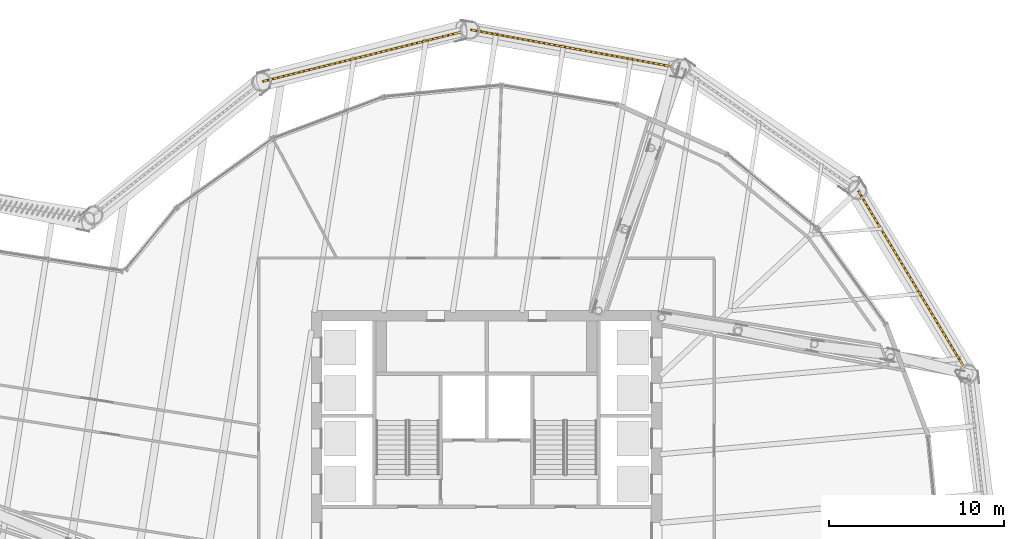
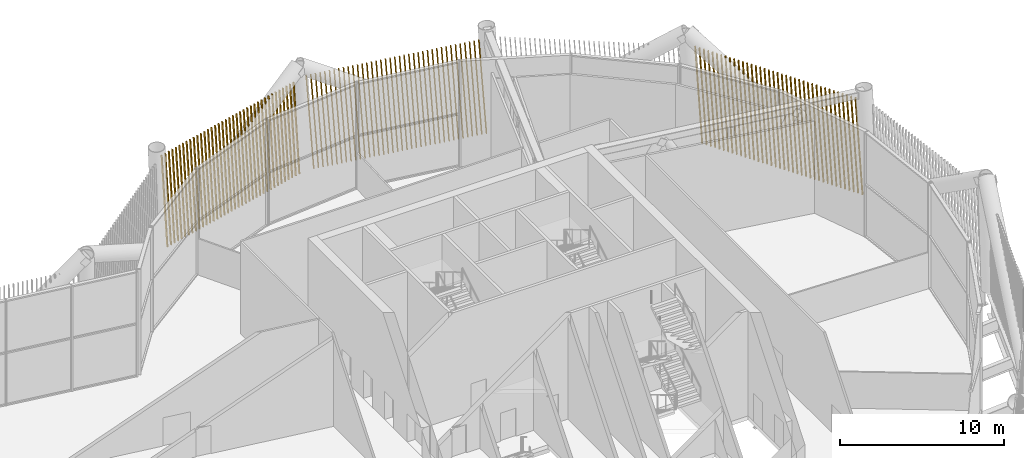
# One storey, part 53 of 55: 3 shading devices.
"""IFC4 building model written with IfcOpenShell, lengths in metres."""

from ifc_helpers import new_model, si_unit, direction, frame, frame_2d, origin, place, context, subcontext, project, spatial, rectangle, composite_profile, extrude, material, type_object, element, save


model = new_model("IFC4")

# Units and contexts
model_context = context("Model", 3, precision=1e-05, world=origin(), true_north=direction((0.0, 1.0)))
body_context = subcontext(model_context, "Body", "Model", "MODEL_VIEW")
ifc_project = project(units=[si_unit("LENGTHUNIT", "METRE"), si_unit("AREAUNIT", "SQUARE_METRE"), si_unit("VOLUMEUNIT", "CUBIC_METRE"), si_unit("PLANEANGLEUNIT", "RADIAN"), si_unit("MASSUNIT", "GRAM", prefix="KILO")], contexts=[model_context])

# Site, building, storey
site_placement = place(None, origin())
site = spatial("IfcSite", under=ifc_project, at=site_placement, CompositionType="ELEMENT")
building_placement = place(site_placement, origin())
building = spatial("IfcBuilding", under=site, at=building_placement, Name="Tarsis Ring Headquarters", CompositionType="ELEMENT")
storey_placement = place(building_placement, frame((0.0, 0.0, 247.199951171875)))
storey = spatial("IfcBuildingStorey", under=building, at=storey_placement, Name="L58", CompositionType="ELEMENT", Elevation=247.199951171875)

# Shading devices
ifc_material = material(Name="Terracotta baguette", Category="masonry")
shading_device_type = type_object("IfcShadingDeviceType", Name="Terracotta baguette screen", PredefinedType="USERDEFINED", material=ifc_material)
shading_device_1_placement = place(storey_placement, frame((27.245361328125, 9.779296875, 0.0), z_axis=(0.0, 0.0, 1.0), x_axis=(-0.514259050265, 0.857626530081, 0.0)))
element("IfcShadingDevice", 1, at=shading_device_1_placement, inside=storey, type_object=shading_device_type, Name="Baguette screen L58-10", ObjectType="Terracotta baguette screen", PredefinedType="USERDEFINED", context=body_context, shape_type="SweptSolid", body=[
    extrude(composite_profile([rectangle(XDim=0.06005859375, YDim=0.1201171875, at=frame_2d((0.030029296875, 0.0))), rectangle(XDim=0.06005859375, YDim=0.1201171875, at=frame_2d((0.33251953125, 0.0))), rectangle(XDim=0.06005859375, YDim=0.1201171875, at=frame_2d((0.634765625, 0.0))), rectangle(XDim=0.06005859375, YDim=0.1201171875, at=frame_2d((0.937255859375, 0.0))), rectangle(XDim=0.06005859375, YDim=0.1201171875, at=frame_2d((1.239501953125, 0.0))), rectangle(XDim=0.06005859375, YDim=0.1201171875, at=frame_2d((1.5419921875, 0.0))), rectangle(XDim=0.06005859375, YDim=0.1201171875, at=frame_2d((1.844482421875, 0.0))), rectangle(XDim=0.06005859375, YDim=0.1201171875, at=frame_2d((2.146728515625, 0.0))), rectangle(XDim=0.06005859375, YDim=0.1201171875, at=frame_2d((2.44921875, 0.0))), rectangle(XDim=0.06005859375, YDim=0.1201171875, at=frame_2d((2.751708984375, 0.0))), rectangle(XDim=0.06005859375, YDim=0.1201171875, at=frame_2d((3.053955078125, 0.0))), rectangle(XDim=0.06005859375, YDim=0.1201171875, at=frame_2d((3.3564453125, 0.0))), rectangle(XDim=0.06005859375, YDim=0.1201171875, at=frame_2d((3.65869140625, 0.0))), rectangle(XDim=0.06005859375, YDim=0.1201171875, at=frame_2d((3.961181640625, 0.0))), rectangle(XDim=0.06005859375, YDim=0.1201171875, at=frame_2d((4.263671875, 0.0))), rectangle(XDim=0.06005859375, YDim=0.1201171875, at=frame_2d((4.56591796875, 0.0))), rectangle(XDim=0.06005859375, YDim=0.1201171875, at=frame_2d((4.868408203125, 0.0))), rectangle(XDim=0.06005859375, YDim=0.1201171875, at=frame_2d((5.1708984375, 0.0))), rectangle(XDim=0.06005859375, YDim=0.1201171875, at=frame_2d((5.47314453125, 0.0))), rectangle(XDim=0.06005859375, YDim=0.1201171875, at=frame_2d((5.775634765625, 0.0))), rectangle(XDim=0.06005859375, YDim=0.1201171875, at=frame_2d((6.077880859375, 0.0))), rectangle(XDim=0.06005859375, YDim=0.1201171875, at=frame_2d((6.38037109375, 0.0))), rectangle(XDim=0.06005859375, YDim=0.1201171875, at=frame_2d((6.682861328125, 0.0))), rectangle(XDim=0.06005859375, YDim=0.1201171875, at=frame_2d((6.985107421875, 0.0))), rectangle(XDim=0.06005859375, YDim=0.1201171875, at=frame_2d((7.28759765625, 0.0))), rectangle(XDim=0.06005859375, YDim=0.1201171875, at=frame_2d((7.590087890625, 0.0))), rectangle(XDim=0.06005859375, YDim=0.1201171875, at=frame_2d((7.892333984375, 0.0))), rectangle(XDim=0.06005859375, YDim=0.1201171875, at=frame_2d((8.19482421875, 0.0))), rectangle(XDim=0.06005859375, YDim=0.1201171875, at=frame_2d((8.4970703125, 0.0))), rectangle(XDim=0.06005859375, YDim=0.1201171875, at=frame_2d((8.799560546875, 0.0))), rectangle(XDim=0.06005859375, YDim=0.1201171875, at=frame_2d((9.10205078125, 0.0))), rectangle(XDim=0.06005859375, YDim=0.1201171875, at=frame_2d((9.404296875, 0.0))), rectangle(XDim=0.06005859375, YDim=0.1201171875, at=frame_2d((9.706787109375, 0.0))), rectangle(XDim=0.06005859375, YDim=0.1201171875, at=frame_2d((10.00927734375, 0.0))), rectangle(XDim=0.06005859375, YDim=0.1201171875, at=frame_2d((10.3115234375, 0.0))), rectangle(XDim=0.06005859375, YDim=0.1201171875, at=frame_2d((10.614013671875, 0.0))), rectangle(XDim=0.06005859375, YDim=0.1201171875, at=frame_2d((10.916259765625, 0.0))), rectangle(XDim=0.06005859375, YDim=0.1201171875, at=frame_2d((11.21875, 0.0)))]), origin(), (0.069943752991, 0.000611105665, 0.99755074957), 7.085205078125),
])
shading_device_2_placement = place(storey_placement, frame((10.64208984375, 26.919921875, 0.0), z_axis=(0.0, 0.0, 1.0), x_axis=(-0.98367878459, 0.17994574064, 0.0)))
element("IfcShadingDevice", 2, at=shading_device_2_placement, inside=storey, type_object=shading_device_type, Name="Baguette screen L58-12", ObjectType="Terracotta baguette screen", PredefinedType="USERDEFINED", context=body_context, shape_type="SweptSolid", body=[
    extrude(composite_profile([rectangle(XDim=0.06005859375, YDim=0.1201171875, at=frame_2d((0.030029296875, 0.0))), rectangle(XDim=0.06005859375, YDim=0.1201171875, at=frame_2d((0.33251953125, 0.0))), rectangle(XDim=0.06005859375, YDim=0.1201171875, at=frame_2d((0.634765625, 0.0))), rectangle(XDim=0.06005859375, YDim=0.1201171875, at=frame_2d((0.937255859375, 0.0))), rectangle(XDim=0.06005859375, YDim=0.1201171875, at=frame_2d((1.239501953125, 0.0))), rectangle(XDim=0.06005859375, YDim=0.1201171875, at=frame_2d((1.5419921875, 0.0))), rectangle(XDim=0.06005859375, YDim=0.1201171875, at=frame_2d((1.844482421875, 0.0))), rectangle(XDim=0.06005859375, YDim=0.1201171875, at=frame_2d((2.146728515625, 0.0))), rectangle(XDim=0.06005859375, YDim=0.1201171875, at=frame_2d((2.44921875, 0.0))), rectangle(XDim=0.06005859375, YDim=0.1201171875, at=frame_2d((2.751708984375, 0.0))), rectangle(XDim=0.06005859375, YDim=0.1201171875, at=frame_2d((3.053955078125, 0.0))), rectangle(XDim=0.06005859375, YDim=0.1201171875, at=frame_2d((3.3564453125, 0.0))), rectangle(XDim=0.06005859375, YDim=0.1201171875, at=frame_2d((3.65869140625, 0.0))), rectangle(XDim=0.06005859375, YDim=0.1201171875, at=frame_2d((3.961181640625, 0.0))), rectangle(XDim=0.06005859375, YDim=0.1201171875, at=frame_2d((4.263671875, 0.0))), rectangle(XDim=0.06005859375, YDim=0.1201171875, at=frame_2d((4.56591796875, 0.0))), rectangle(XDim=0.06005859375, YDim=0.1201171875, at=frame_2d((4.868408203125, 0.0))), rectangle(XDim=0.06005859375, YDim=0.1201171875, at=frame_2d((5.1708984375, 0.0))), rectangle(XDim=0.06005859375, YDim=0.1201171875, at=frame_2d((5.47314453125, 0.0))), rectangle(XDim=0.06005859375, YDim=0.1201171875, at=frame_2d((5.775634765625, 0.0))), rectangle(XDim=0.06005859375, YDim=0.1201171875, at=frame_2d((6.077880859375, 0.0))), rectangle(XDim=0.06005859375, YDim=0.1201171875, at=frame_2d((6.38037109375, 0.0))), rectangle(XDim=0.06005859375, YDim=0.1201171875, at=frame_2d((6.682861328125, 0.0))), rectangle(XDim=0.06005859375, YDim=0.1201171875, at=frame_2d((6.985107421875, 0.0))), rectangle(XDim=0.06005859375, YDim=0.1201171875, at=frame_2d((7.28759765625, 0.0))), rectangle(XDim=0.06005859375, YDim=0.1201171875, at=frame_2d((7.590087890625, 0.0))), rectangle(XDim=0.06005859375, YDim=0.1201171875, at=frame_2d((7.892333984375, 0.0))), rectangle(XDim=0.06005859375, YDim=0.1201171875, at=frame_2d((8.19482421875, 0.0))), rectangle(XDim=0.06005859375, YDim=0.1201171875, at=frame_2d((8.4970703125, 0.0))), rectangle(XDim=0.06005859375, YDim=0.1201171875, at=frame_2d((8.799560546875, 0.0))), rectangle(XDim=0.06005859375, YDim=0.1201171875, at=frame_2d((9.10205078125, 0.0))), rectangle(XDim=0.06005859375, YDim=0.1201171875, at=frame_2d((9.404296875, 0.0))), rectangle(XDim=0.06005859375, YDim=0.1201171875, at=frame_2d((9.706787109375, 0.0))), rectangle(XDim=0.06005859375, YDim=0.1201171875, at=frame_2d((10.00927734375, 0.0))), rectangle(XDim=0.06005859375, YDim=0.1201171875, at=frame_2d((10.3115234375, 0.0))), rectangle(XDim=0.06005859375, YDim=0.1201171875, at=frame_2d((10.614013671875, 0.0))), rectangle(XDim=0.06005859375, YDim=0.1201171875, at=frame_2d((10.916259765625, 0.0))), rectangle(XDim=0.06005859375, YDim=0.1201171875, at=frame_2d((11.21875, 0.0)))]), origin(), (0.069944401539, 0.000610748237, 0.997550704315), 7.085205078125),
])
shading_device_3_placement = place(storey_placement, frame((-1.400146484375, 28.913330078125, 0.0), z_axis=(0.0, 0.0, 1.0), x_axis=(-0.970396093326, -0.241519262073, 0.0)))
element("IfcShadingDevice", 3, at=shading_device_3_placement, inside=storey, type_object=shading_device_type, Name="Baguette screen L58-13", ObjectType="Terracotta baguette screen", PredefinedType="USERDEFINED", context=body_context, shape_type="SweptSolid", body=[
    extrude(composite_profile([rectangle(XDim=0.06005859375, YDim=0.1201171875, at=frame_2d((0.030029296875, 0.0))), rectangle(XDim=0.06005859375, YDim=0.1201171875, at=frame_2d((0.33251953125, 0.0))), rectangle(XDim=0.06005859375, YDim=0.1201171875, at=frame_2d((0.634765625, 0.0))), rectangle(XDim=0.06005859375, YDim=0.1201171875, at=frame_2d((0.937255859375, 0.0))), rectangle(XDim=0.06005859375, YDim=0.1201171875, at=frame_2d((1.239501953125, 0.0))), rectangle(XDim=0.06005859375, YDim=0.1201171875, at=frame_2d((1.5419921875, 0.0))), rectangle(XDim=0.06005859375, YDim=0.1201171875, at=frame_2d((1.844482421875, 0.0))), rectangle(XDim=0.06005859375, YDim=0.1201171875, at=frame_2d((2.146728515625, 0.0))), rectangle(XDim=0.06005859375, YDim=0.1201171875, at=frame_2d((2.44921875, 0.0))), rectangle(XDim=0.06005859375, YDim=0.1201171875, at=frame_2d((2.751708984375, 0.0))), rectangle(XDim=0.06005859375, YDim=0.1201171875, at=frame_2d((3.053955078125, 0.0))), rectangle(XDim=0.06005859375, YDim=0.1201171875, at=frame_2d((3.3564453125, 0.0))), rectangle(XDim=0.06005859375, YDim=0.1201171875, at=frame_2d((3.65869140625, 0.0))), rectangle(XDim=0.06005859375, YDim=0.1201171875, at=frame_2d((3.961181640625, 0.0))), rectangle(XDim=0.06005859375, YDim=0.1201171875, at=frame_2d((4.263671875, 0.0))), rectangle(XDim=0.06005859375, YDim=0.1201171875, at=frame_2d((4.56591796875, 0.0))), rectangle(XDim=0.06005859375, YDim=0.1201171875, at=frame_2d((4.868408203125, 0.0))), rectangle(XDim=0.06005859375, YDim=0.1201171875, at=frame_2d((5.1708984375, 0.0))), rectangle(XDim=0.06005859375, YDim=0.1201171875, at=frame_2d((5.47314453125, 0.0))), rectangle(XDim=0.06005859375, YDim=0.1201171875, at=frame_2d((5.775634765625, 0.0))), rectangle(XDim=0.06005859375, YDim=0.1201171875, at=frame_2d((6.077880859375, 0.0))), rectangle(XDim=0.06005859375, YDim=0.1201171875, at=frame_2d((6.38037109375, 0.0))), rectangle(XDim=0.06005859375, YDim=0.1201171875, at=frame_2d((6.682861328125, 0.0))), rectangle(XDim=0.06005859375, YDim=0.1201171875, at=frame_2d((6.985107421875, 0.0))), rectangle(XDim=0.06005859375, YDim=0.1201171875, at=frame_2d((7.28759765625, 0.0))), rectangle(XDim=0.06005859375, YDim=0.1201171875, at=frame_2d((7.590087890625, 0.0))), rectangle(XDim=0.06005859375, YDim=0.1201171875, at=frame_2d((7.892333984375, 0.0))), rectangle(XDim=0.06005859375, YDim=0.1201171875, at=frame_2d((8.19482421875, 0.0))), rectangle(XDim=0.06005859375, YDim=0.1201171875, at=frame_2d((8.4970703125, 0.0))), rectangle(XDim=0.06005859375, YDim=0.1201171875, at=frame_2d((8.799560546875, 0.0))), rectangle(XDim=0.06005859375, YDim=0.1201171875, at=frame_2d((9.10205078125, 0.0))), rectangle(XDim=0.06005859375, YDim=0.1201171875, at=frame_2d((9.404296875, 0.0))), rectangle(XDim=0.06005859375, YDim=0.1201171875, at=frame_2d((9.706787109375, 0.0))), rectangle(XDim=0.06005859375, YDim=0.1201171875, at=frame_2d((10.00927734375, 0.0))), rectangle(XDim=0.06005859375, YDim=0.1201171875, at=frame_2d((10.3115234375, 0.0))), rectangle(XDim=0.06005859375, YDim=0.1201171875, at=frame_2d((10.614013671875, 0.0))), rectangle(XDim=0.06005859375, YDim=0.1201171875, at=frame_2d((10.916259765625, 0.0))), rectangle(XDim=0.06005859375, YDim=0.1201171875, at=frame_2d((11.21875, 0.0)))]), origin(), (0.069944218753, 0.000610458444, 0.997550717309), 7.085205078125),
])

save(model, "model.ifc")
